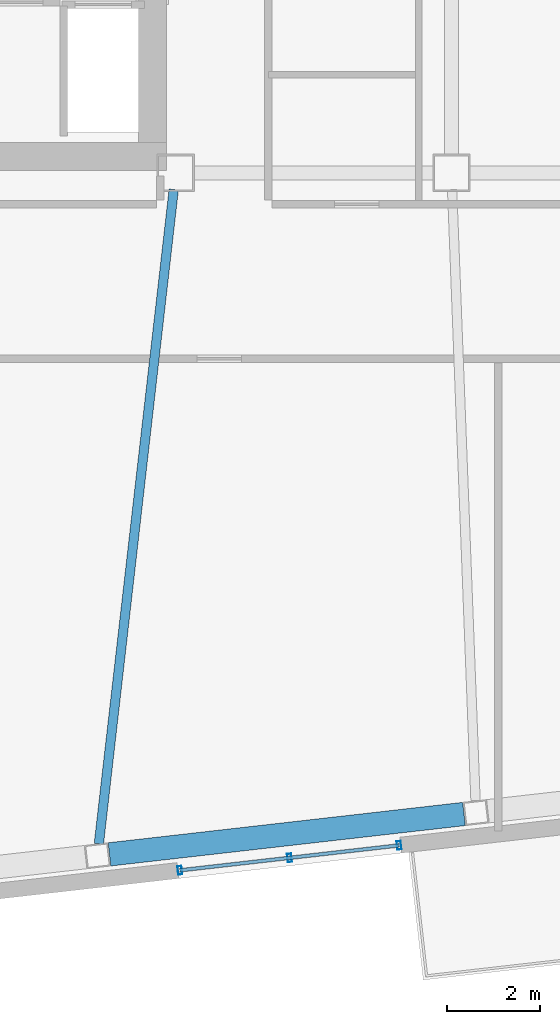
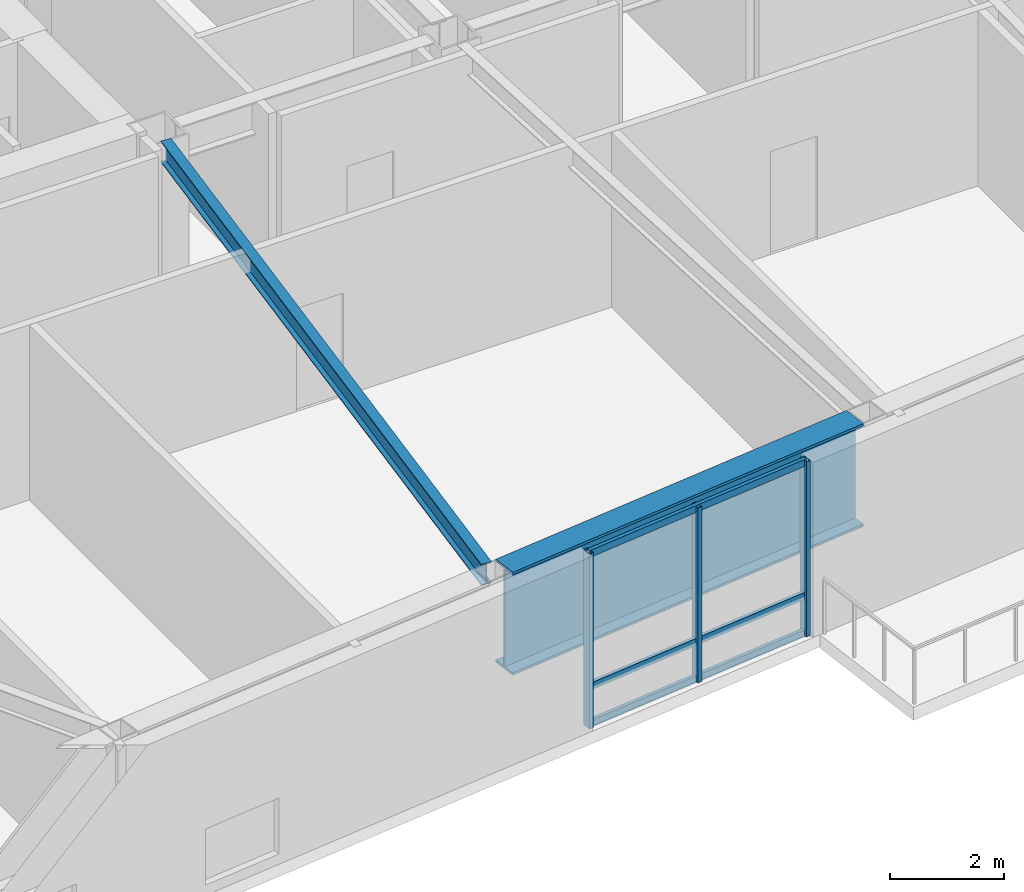
# One storey, part 4 of 20: 6 members, 2 beams, 1 element without a shape of its own.
"""IFC4 building model written with IfcOpenShell, lengths in metres."""

from ifc_helpers import new_model, si_unit, direction, frame, origin, origin_2d, place, context, subcontext, project, spatial, hollow_rectangle, i_section, extrude, material, layer, layer_set, material_profile, profile_set, type_object, element, aggregate, save


model = new_model("IFC4")

# Units and contexts
model_context = context("Model", 3, precision=1e-05, world=origin(), true_north=direction((0.0, 1.0)))
body_context = subcontext(model_context, "Body", "Model", "MODEL_VIEW")
ifc_project = project(units=[si_unit("LENGTHUNIT", "METRE"), si_unit("AREAUNIT", "SQUARE_METRE"), si_unit("VOLUMEUNIT", "CUBIC_METRE"), si_unit("PLANEANGLEUNIT", "RADIAN"), si_unit("MASSUNIT", "GRAM", prefix="KILO")], contexts=[model_context])

# Site, building, storey
site_placement = place(None, origin())
site = spatial("IfcSite", under=ifc_project, at=site_placement, CompositionType="ELEMENT")
building_placement = place(site_placement, origin())
building = spatial("IfcBuilding", under=site, at=building_placement, Name="Tavrogorsk Clinical Tower", CompositionType="ELEMENT")
storey_placement = place(building_placement, frame((0.0, 0.0, 234.199951171875)))
storey = spatial("IfcBuildingStorey", under=building, at=storey_placement, Name="L54", CompositionType="ELEMENT", Elevation=234.199951171875)

# Curtain wall, members
ifc_material_1 = material(Name="Anodised aluminium and triple IGU glazing", Category="aluminium")
ifc_layer = layer(ifc_material_1, 0.179931640625)
ifc_layer_set = layer_set([ifc_layer], Name="Anodised aluminium and triple IGU glazing")
curtain_wall_type = type_object("IfcCurtainWallType", Name="CW3_SouthSlot", PredefinedType="NOTDEFINED", material=ifc_layer_set)
curtain_wall_placement = place(storey_placement, origin())
curtain_wall = element("IfcCurtainWall", 1, at=curtain_wall_placement, inside=storey, type_object=curtain_wall_type, Name="L54 Curtain Wall CW-L54-S-SLOT-1", PredefinedType="NOTDEFINED")
ifc_material_2 = material(Name="Anodised aluminium alloy AW-6060", Category="aluminium")
ifc_material_profile_1 = material_profile(ifc_material_2, hollow_rectangle(XDim=0.090087890625, YDim=0.179931640625, WallThickness=0.00634765625, at=origin_2d()), Name="RHS-180x90x6.3")
ifc_profile_set_1 = profile_set([ifc_material_profile_1], Name="Anodised aluminium alloy AW-6060")
member_type_1 = type_object("IfcMemberType", Name="CwMullion_180x90", PredefinedType="MULLION", material=ifc_profile_set_1)
member_1_placement = place(storey_placement, frame((-10.21044921875, -21.270263671875, 0.0), z_axis=(0.0, 0.0, 1.0), x_axis=(0.993571855603, 0.11320321441, 0.0)))
member_1 = element("IfcMember", 2, at=member_1_placement, type_object=member_type_1, Name="CW-L54-S-SLOT-1 Mullion 1", PredefinedType="MULLION", context=body_context, shape_type="SweptSolid", body=[
    extrude(hollow_rectangle(XDim=0.090087890625, YDim=0.179931640625, WallThickness=0.00634765625, at=origin_2d()), origin(), (0.0, 0.0, 1.0), 3.739990234375),
])
member_2_placement = place(storey_placement, frame((-7.866455078125, -21.003173828125, 0.0), z_axis=(0.0, 0.0, 1.0), x_axis=(0.993571855603, 0.11320321441, 0.0)))
member_2 = element("IfcMember", 3, at=member_2_placement, type_object=member_type_1, Name="CW-L54-S-SLOT-1 Mullion 2", PredefinedType="MULLION", context=body_context, shape_type="SweptSolid", body=[
    extrude(hollow_rectangle(XDim=0.090087890625, YDim=0.179931640625, WallThickness=0.00634765625, at=origin_2d()), origin(), (0.0, 0.0, 1.0), 3.739990234375),
])
member_3_placement = place(storey_placement, frame((-5.522705078125, -20.736083984375, 0.0), z_axis=(0.0, 0.0, 1.0), x_axis=(0.993571855603, 0.11320321441, 0.0)))
member_3 = element("IfcMember", 4, at=member_3_placement, type_object=member_type_1, Name="CW-L54-S-SLOT-1 Mullion 3", PredefinedType="MULLION", context=body_context, shape_type="SweptSolid", body=[
    extrude(hollow_rectangle(XDim=0.090087890625, YDim=0.179931640625, WallThickness=0.00634765625, at=origin_2d()), origin(), (0.0, 0.0, 1.0), 3.739990234375),
])
ifc_material_3 = material(Name="Anodised aluminium alloy AW-6060", Category="aluminium")
ifc_material_profile_2 = material_profile(ifc_material_3, hollow_rectangle(XDim=0.074951171875, YDim=0.14990234375, WallThickness=0.0048828125, at=origin_2d()), Name="RHS-150x75x5")
ifc_profile_set_2 = profile_set([ifc_material_profile_2], Name="Anodised aluminium alloy AW-6060")
member_type_2 = type_object("IfcMemberType", Name="CwTransom_150x75", PredefinedType="USERDEFINED", material=ifc_profile_set_2)
member_4_placement = place(storey_placement, frame((-10.21044921875, -21.270263671875, 0.050048828125), z_axis=(0.993569979218, 0.113219682023, 0.0), x_axis=(-0.113219682023, 0.993569979218, 0.0)))
member_4 = element("IfcMember", 5, at=member_4_placement, type_object=member_type_2, Name="CW-L54-S-SLOT-1 Transom 1", ObjectType="TRANSOM", PredefinedType="USERDEFINED", context=body_context, shape_type="SweptSolid", body=[
    extrude(hollow_rectangle(XDim=0.074951171875, YDim=0.14990234375, WallThickness=0.0048828125, at=origin_2d()), origin(), (0.0, 0.0, 1.0), 4.718017578125),
])
member_5_placement = place(storey_placement, frame((-10.21044921875, -21.270263671875, 0.85009765625), z_axis=(0.993569979218, 0.113219682023, 0.0), x_axis=(-0.113219682023, 0.993569979218, 0.0)))
member_5 = element("IfcMember", 6, at=member_5_placement, type_object=member_type_2, Name="CW-L54-S-SLOT-1 Transom 2", ObjectType="TRANSOM", PredefinedType="USERDEFINED", context=body_context, shape_type="SweptSolid", body=[
    extrude(hollow_rectangle(XDim=0.074951171875, YDim=0.14990234375, WallThickness=0.0048828125, at=origin_2d()), origin(), (0.0, 0.0, 1.0), 4.718017578125),
])
member_6_placement = place(storey_placement, frame((-10.21044921875, -21.270263671875, 3.68994140625), z_axis=(0.993569979218, 0.113219682023, 0.0), x_axis=(-0.113219682023, 0.993569979218, 0.0)))
member_6 = element("IfcMember", 7, at=member_6_placement, type_object=member_type_2, Name="CW-L54-S-SLOT-1 Transom 3", ObjectType="TRANSOM", PredefinedType="USERDEFINED", context=body_context, shape_type="SweptSolid", body=[
    extrude(hollow_rectangle(XDim=0.074951171875, YDim=0.14990234375, WallThickness=0.0048828125, at=origin_2d()), origin(), (0.0, 0.0, 1.0), 4.718017578125),
])
aggregate(curtain_wall, [member_1, member_2, member_3, member_4, member_5, member_6])

# Beams
ifc_material_4 = material(Name="Structural steel S355", Category="steel")
ifc_material_profile_3 = material_profile(ifc_material_4, i_section(OverallWidth=0.199951171875, OverallDepth=0.449951171875, WebThickness=0.011474609375, FlangeThickness=0.01806640625, at=origin_2d()), Name="B-450x200x11.5x18")
ifc_profile_set_3 = profile_set([ifc_material_profile_3], Name="Structural steel S355")
beam_type_1 = type_object("IfcBeamType", Name="FloorBeam_B450", PredefinedType="BEAM", material=ifc_profile_set_3)
beam_1_placement = place(storey_placement, frame((-10.341064453125, -6.707763671875, 3.51513671875), z_axis=(-0.113743110947, -0.993510193562, 0.0), x_axis=(0.993510193562, -0.113743110947, 0.0)))
element("IfcBeam", 8, at=beam_1_placement, inside=storey, type_object=beam_type_1, Name="L54 Radial Floor Beam S3", PredefinedType="BEAM", context=body_context, shape_type="SweptSolid", body=[
    extrude(i_section(OverallWidth=0.199951171875, OverallDepth=0.449951171875, WebThickness=0.011474609375, FlangeThickness=0.01806640625, at=origin_2d()), origin(), (0.0, 0.0, 1.0), 14.084716796875),
])
ifc_material_5 = material(Name="Structural steel S440", Category="steel")
ifc_material_profile_4 = material_profile(ifc_material_5, i_section(OverallWidth=0.5, OverallDepth=2.199951171875, WebThickness=0.035888671875, FlangeThickness=0.054931640625, at=origin_2d()), Name="DK-2200x500x36x55")
ifc_profile_set_4 = profile_set([ifc_material_profile_4], Name="Structural steel S440")
beam_type_2 = type_object("IfcBeamType", Name="TransferGirder_DK2200", PredefinedType="USERDEFINED", material=ifc_profile_set_4)
beam_2_placement = place(storey_placement, frame((-11.716064453125, -20.928466796875, 2.64013671875), z_axis=(0.993572509708, 0.113197473259, 0.0), x_axis=(-0.113197473259, 0.993572509708, 0.0)))
element("IfcBeam", 9, at=beam_2_placement, inside=storey, type_object=beam_type_2, Name="L54 Perimeter Spandrel S3-S4", ObjectType="GIRDER", PredefinedType="USERDEFINED", context=body_context, shape_type="SweptSolid", body=[
    extrude(i_section(OverallWidth=0.5, OverallDepth=2.199951171875, WebThickness=0.035888671875, FlangeThickness=0.054931640625, at=origin_2d()), origin(), (0.0, 0.0, 1.0), 7.6328125),
])

save(model, "model.ifc")
